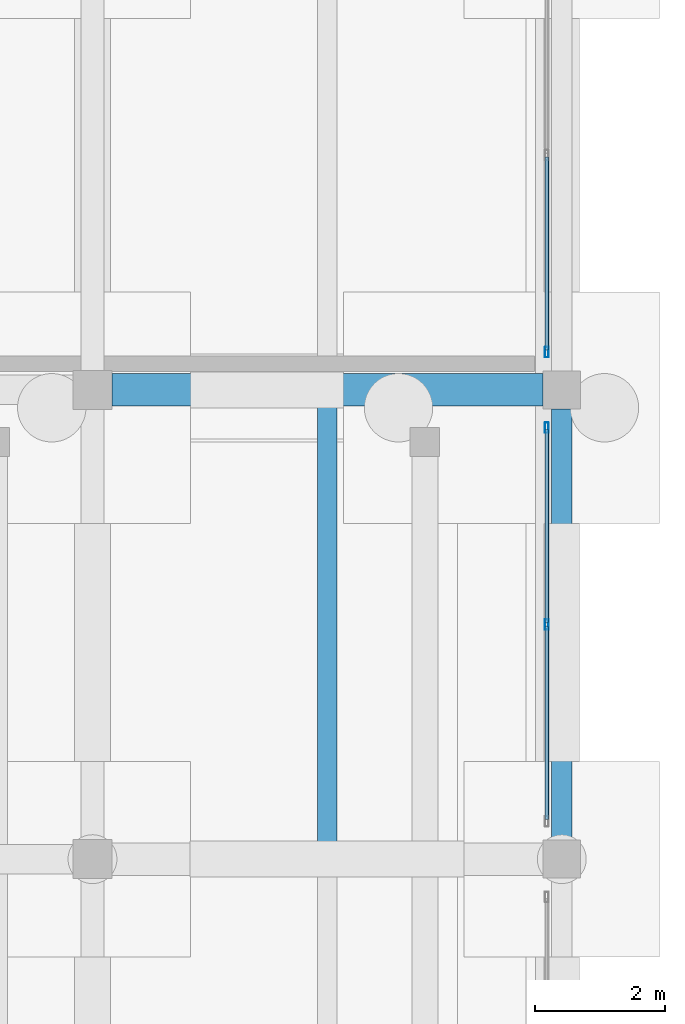
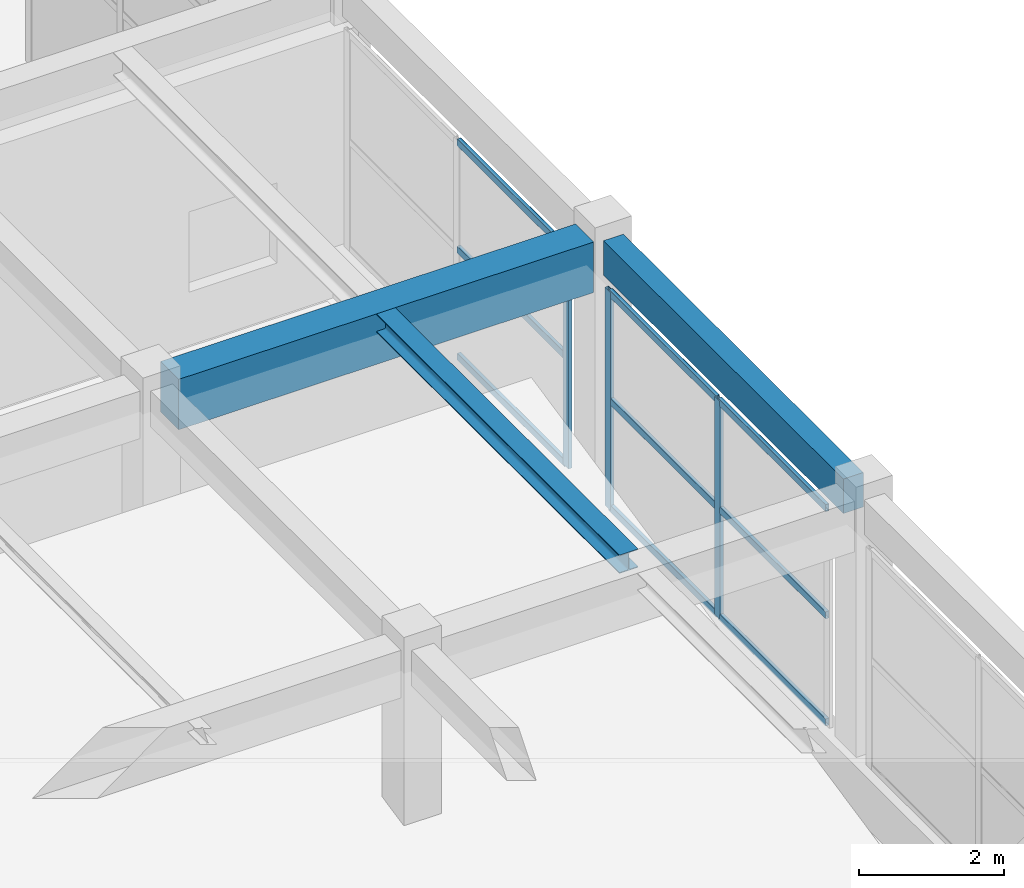
# One storey, part 20 of 91: 12 members, 3 beams, 2 elements without a shape of their own.
"""IFC4 building model written with IfcOpenShell, lengths in metres."""

from ifc_helpers import new_model, si_unit, direction, frame, origin, origin_2d, place, context, subcontext, project, spatial, rectangle, hollow_rectangle, i_section, extrude, material, material_profile, profile_set, type_object, element, aggregate, save


model = new_model("IFC4")

# Units and contexts
model_context = context("Model", 3, precision=1e-05, world=origin(), true_north=direction((0.0, 1.0)))
body_context = subcontext(model_context, "Body", "Model", "MODEL_VIEW")
ifc_project = project(units=[si_unit("LENGTHUNIT", "METRE"), si_unit("AREAUNIT", "SQUARE_METRE"), si_unit("VOLUMEUNIT", "CUBIC_METRE"), si_unit("PLANEANGLEUNIT", "RADIAN"), si_unit("MASSUNIT", "GRAM", prefix="KILO")], contexts=[model_context])

# Site, building, storey
site_placement = place(None, origin())
site = spatial("IfcSite", under=ifc_project, at=site_placement, CompositionType="ELEMENT")
building_placement = place(site_placement, origin())
building = spatial("IfcBuilding", under=site, at=building_placement, Name="Bramveld Media Centre", CompositionType="ELEMENT")
storey_placement = place(building_placement, origin())
storey = spatial("IfcBuildingStorey", under=building, at=storey_placement, Name="L00", CompositionType="ELEMENT", Elevation=0.0)

# Beam
ifc_material_1 = material(Name="Concrete C40/50", Category="concrete")
ifc_material_profile_1 = material_profile(ifc_material_1, rectangle(XDim=0.5, YDim=0.85009765625, at=origin_2d()), Name="RC 500x850")
ifc_profile_set_1 = profile_set([ifc_material_profile_1], Name="Concrete C40/50")
beam_type_1 = type_object("IfcBeamType", Name="BM-INT-RC-500x850", PredefinedType="BEAM", material=ifc_profile_set_1)
beam_1_placement = place(storey_placement, frame((29.10009765625, 60.800048828125, 4.715087890625), z_axis=(1.0, 0.0, 0.0), x_axis=(0.0, 1.0, 0.0)))
element("IfcBeam", 1, at=beam_1_placement, inside=storey, type_object=beam_type_1, Name="V3 L00 girder X-210", PredefinedType="BEAM", context=body_context, shape_type="SweptSolid", body=[
    extrude(rectangle(XDim=0.5, YDim=0.85009765625, at=origin_2d()), origin(), (0.0, 0.0, 1.0), 6.60986328125),
])

# Curtain wall, members
ifc_material_2 = material(Name="Thermally broken anodized bronze aluminium unitized curtain wall with solar-control triple glazing", Category="aluminium")
curtain_wall_type = type_object("IfcCurtainWallType", Name="CW-FACV3-6100x3670", PredefinedType="NOTDEFINED", material=ifc_material_2)
curtain_wall_1_placement = place(storey_placement, origin())
curtain_wall_1 = element("IfcCurtainWall", 2, at=curtain_wall_1_placement, inside=storey, type_object=curtain_wall_type, Name="V3 L00 E curtain wall bay 3", PredefinedType="NOTDEFINED")
ifc_material_3 = material(Name="Thermally broken anodized bronze aluminium EN AW-6063 T6 curtain-wall framing", Category="aluminium")
ifc_material_profile_2 = material_profile(ifc_material_3, hollow_rectangle(XDim=0.06005859375, YDim=0.159912109375, WallThickness=0.00390625, InnerFilletRadius=0.00390625, OuterFilletRadius=0.008056640625, at=origin_2d()), Name="AL-MULL 60x160")
ifc_profile_set_2 = profile_set([ifc_material_profile_2], Name="Thermally broken anodized bronze aluminium EN AW-6063 T6 curtain-wall framing")
member_type_1 = type_object("IfcMemberType", Name="CW-MULL-EXT", PredefinedType="MULLION", material=ifc_profile_set_2)
member_1_placement = place(storey_placement, frame((35.77001953125, 57.199951171875, 0.85009765625), z_axis=(0.0, 0.0, 1.0), x_axis=(-1.0, 0.0, 0.0)))
member_1 = element("IfcMember", 3, at=member_1_placement, type_object=member_type_1, Name="CW-FA-6136 mullion 2", PredefinedType="MULLION", context=body_context, shape_type="SweptSolid", body=[
    extrude(hollow_rectangle(XDim=0.06005859375, YDim=0.159912109375, WallThickness=0.00390625, InnerFilletRadius=0.00390625, OuterFilletRadius=0.008056640625, at=origin_2d()), origin(), (0.0, 0.0, 1.0), 3.669921875),
])
member_2_placement = place(storey_placement, frame((35.77001953125, 60.219970703125, 0.85009765625), z_axis=(0.0, 0.0, 1.0), x_axis=(-1.0, 0.0, 0.0)))
member_2 = element("IfcMember", 4, at=member_2_placement, type_object=member_type_1, Name="CW-FA-6136 mullion 3", PredefinedType="MULLION", context=body_context, shape_type="SweptSolid", body=[
    extrude(hollow_rectangle(XDim=0.06005859375, YDim=0.159912109375, WallThickness=0.00390625, InnerFilletRadius=0.00390625, OuterFilletRadius=0.008056640625, at=origin_2d()), origin(), (0.0, 0.0, 1.0), 3.669921875),
])

# Curtain wall, member
curtain_wall_2_placement = place(storey_placement, origin())
curtain_wall_2 = element("IfcCurtainWall", 5, at=curtain_wall_2_placement, inside=storey, type_object=curtain_wall_type, Name="V3 L00 E curtain wall bay 4", PredefinedType="NOTDEFINED")
member_3_placement = place(storey_placement, frame((35.77001953125, 61.3798828125, 0.85009765625), z_axis=(0.0, 0.0, 1.0), x_axis=(-1.0, 0.0, 0.0)))
member_3 = element("IfcMember", 6, at=member_3_placement, type_object=member_type_1, Name="CW-FA-6136 mullion 1", PredefinedType="MULLION", context=body_context, shape_type="SweptSolid", body=[
    extrude(hollow_rectangle(XDim=0.06005859375, YDim=0.159912109375, WallThickness=0.00390625, InnerFilletRadius=0.00390625, OuterFilletRadius=0.008056640625, at=origin_2d()), origin(), (0.0, 0.0, 1.0), 3.669921875),
])

# Member
ifc_material_4 = material(Name="Thermally broken anodized bronze aluminium EN AW-6063 T6 curtain-wall framing", Category="aluminium")
ifc_material_profile_3 = material_profile(ifc_material_4, hollow_rectangle(XDim=0.06005859375, YDim=0.1201171875, WallThickness=0.00341796875, InnerFilletRadius=0.00341796875, OuterFilletRadius=0.007080078125, at=origin_2d()), Name="AL-TRAN 60x120")
ifc_profile_set_3 = profile_set([ifc_material_profile_3], Name="Thermally broken anodized bronze aluminium EN AW-6063 T6 curtain-wall framing")
member_type_2 = type_object("IfcMemberType", Name="CW-TRAN-EXT", PredefinedType="USERDEFINED", material=ifc_profile_set_3)
member_4_placement = place(storey_placement, frame((35.77001953125, 54.2099609375, 0.8798828125), z_axis=(0.0, 1.0, 0.0), x_axis=(-1.0, 0.0, 0.0)))
member_4 = element("IfcMember", 7, at=member_4_placement, type_object=member_type_2, Name="CW-FA-6136 transom 1.1", ObjectType="TRANSOM", PredefinedType="USERDEFINED", context=body_context, shape_type="SweptSolid", body=[
    extrude(hollow_rectangle(XDim=0.06005859375, YDim=0.1201171875, WallThickness=0.00341796875, InnerFilletRadius=0.00341796875, OuterFilletRadius=0.007080078125, at=origin_2d()), origin(), (0.0, 0.0, 1.0), 2.9599609375),
])

member_5_placement = place(storey_placement, frame((35.77001953125, 54.2099609375, 2.68505859375), z_axis=(0.0, 1.0, 0.0), x_axis=(-1.0, 0.0, 0.0)))
member_5 = element("IfcMember", 8, at=member_5_placement, type_object=member_type_2, Name="CW-FA-6136 transom 1.2", ObjectType="TRANSOM", PredefinedType="USERDEFINED", context=body_context, shape_type="SweptSolid", body=[
    extrude(hollow_rectangle(XDim=0.06005859375, YDim=0.1201171875, WallThickness=0.00341796875, InnerFilletRadius=0.00341796875, OuterFilletRadius=0.007080078125, at=origin_2d()), origin(), (0.0, 0.0, 1.0), 2.9599609375),
])

member_6_placement = place(storey_placement, frame((35.77001953125, 54.2099609375, 4.489990234375), z_axis=(0.0, 1.0, 0.0), x_axis=(-1.0, 0.0, 0.0)))
member_6 = element("IfcMember", 9, at=member_6_placement, type_object=member_type_2, Name="CW-FA-6136 transom 1.3", ObjectType="TRANSOM", PredefinedType="USERDEFINED", context=body_context, shape_type="SweptSolid", body=[
    extrude(hollow_rectangle(XDim=0.06005859375, YDim=0.1201171875, WallThickness=0.00341796875, InnerFilletRadius=0.00341796875, OuterFilletRadius=0.007080078125, at=origin_2d()), origin(), (0.0, 0.0, 1.0), 2.9599609375),
])

member_7_placement = place(storey_placement, frame((35.77001953125, 57.22998046875, 0.8798828125), z_axis=(0.0, 1.0, 0.0), x_axis=(-1.0, 0.0, 0.0)))
member_7 = element("IfcMember", 10, at=member_7_placement, type_object=member_type_2, Name="CW-FA-6136 transom 2.1", ObjectType="TRANSOM", PredefinedType="USERDEFINED", context=body_context, shape_type="SweptSolid", body=[
    extrude(hollow_rectangle(XDim=0.06005859375, YDim=0.1201171875, WallThickness=0.00341796875, InnerFilletRadius=0.00341796875, OuterFilletRadius=0.007080078125, at=origin_2d()), origin(), (0.0, 0.0, 1.0), 2.9599609375),
])

member_8_placement = place(storey_placement, frame((35.77001953125, 57.22998046875, 2.68505859375), z_axis=(0.0, 1.0, 0.0), x_axis=(-1.0, 0.0, 0.0)))
member_8 = element("IfcMember", 11, at=member_8_placement, type_object=member_type_2, Name="CW-FA-6136 transom 2.2", ObjectType="TRANSOM", PredefinedType="USERDEFINED", context=body_context, shape_type="SweptSolid", body=[
    extrude(hollow_rectangle(XDim=0.06005859375, YDim=0.1201171875, WallThickness=0.00341796875, InnerFilletRadius=0.00341796875, OuterFilletRadius=0.007080078125, at=origin_2d()), origin(), (0.0, 0.0, 1.0), 2.9599609375),
])

member_9_placement = place(storey_placement, frame((35.77001953125, 57.22998046875, 4.489990234375), z_axis=(0.0, 1.0, 0.0), x_axis=(-1.0, 0.0, 0.0)))
member_9 = element("IfcMember", 12, at=member_9_placement, type_object=member_type_2, Name="CW-FA-6136 transom 2.3", ObjectType="TRANSOM", PredefinedType="USERDEFINED", context=body_context, shape_type="SweptSolid", body=[
    extrude(hollow_rectangle(XDim=0.06005859375, YDim=0.1201171875, WallThickness=0.00341796875, InnerFilletRadius=0.00341796875, OuterFilletRadius=0.007080078125, at=origin_2d()), origin(), (0.0, 0.0, 1.0), 2.9599609375),
])

aggregate(curtain_wall_1, [member_1, member_2, member_4, member_5, member_6, member_7, member_8, member_9])

member_10_placement = place(storey_placement, frame((35.77001953125, 61.409912109375, 0.8798828125), z_axis=(0.0, 1.0, 0.0), x_axis=(-1.0, 0.0, 0.0)))
member_10 = element("IfcMember", 13, at=member_10_placement, type_object=member_type_2, Name="CW-FA-6136 transom 1.1", ObjectType="TRANSOM", PredefinedType="USERDEFINED", context=body_context, shape_type="SweptSolid", body=[
    extrude(hollow_rectangle(XDim=0.06005859375, YDim=0.1201171875, WallThickness=0.00341796875, InnerFilletRadius=0.00341796875, OuterFilletRadius=0.007080078125, at=origin_2d()), origin(), (0.0, 0.0, 1.0), 2.960205078125),
])

member_11_placement = place(storey_placement, frame((35.77001953125, 61.409912109375, 2.68505859375), z_axis=(0.0, 1.0, 0.0), x_axis=(-1.0, 0.0, 0.0)))
member_11 = element("IfcMember", 14, at=member_11_placement, type_object=member_type_2, Name="CW-FA-6136 transom 1.2", ObjectType="TRANSOM", PredefinedType="USERDEFINED", context=body_context, shape_type="SweptSolid", body=[
    extrude(hollow_rectangle(XDim=0.06005859375, YDim=0.1201171875, WallThickness=0.00341796875, InnerFilletRadius=0.00341796875, OuterFilletRadius=0.007080078125, at=origin_2d()), origin(), (0.0, 0.0, 1.0), 2.960205078125),
])

member_12_placement = place(storey_placement, frame((35.77001953125, 61.409912109375, 4.489990234375), z_axis=(0.0, 1.0, 0.0), x_axis=(-1.0, 0.0, 0.0)))
member_12 = element("IfcMember", 15, at=member_12_placement, type_object=member_type_2, Name="CW-FA-6136 transom 1.3", ObjectType="TRANSOM", PredefinedType="USERDEFINED", context=body_context, shape_type="SweptSolid", body=[
    extrude(hollow_rectangle(XDim=0.06005859375, YDim=0.1201171875, WallThickness=0.00341796875, InnerFilletRadius=0.00341796875, OuterFilletRadius=0.007080078125, at=origin_2d()), origin(), (0.0, 0.0, 1.0), 2.960205078125),
])

aggregate(curtain_wall_2, [member_3, member_10, member_11, member_12])

# Beams
ifc_material_5 = material(Name="Steel S355J2", Category="steel")
ifc_material_profile_4 = material_profile(ifc_material_5, i_section(OverallWidth=0.300048828125, OverallDepth=0.31005859375, WebThickness=0.009033203125, FlangeThickness=0.015380859375, FilletRadius=0.027099609375, at=origin_2d()), Name="HEA 320")
ifc_profile_set_4 = profile_set([ifc_material_profile_4], Name="Steel S355J2")
beam_type_2 = type_object("IfcBeamType", Name="SBM-INT-HEA-320", PredefinedType="BEAM", material=ifc_profile_set_4)
beam_2_placement = place(storey_placement, frame((32.39990234375, 53.85009765625, 4.985107421875), z_axis=(0.0, 1.0, 0.0), x_axis=(-1.0, 0.0, 0.0)))
element("IfcBeam", 16, at=beam_2_placement, inside=storey, type_object=beam_type_2, Name="V3 L00 secondary floor joist 255", PredefinedType="BEAM", context=body_context, shape_type="SweptSolid", body=[
    extrude(i_section(OverallWidth=0.300048828125, OverallDepth=0.31005859375, WebThickness=0.009033203125, FlangeThickness=0.015380859375, FilletRadius=0.027099609375, at=origin_2d()), origin(), (0.0, 0.0, 1.0), 6.699951171875),
])
ifc_material_6 = material(Name="Concrete C40/50", Category="concrete")
ifc_material_profile_5 = material_profile(ifc_material_6, rectangle(XDim=0.320068359375, YDim=0.580078125, at=origin_2d()), Name="RC 320x580")
ifc_profile_set_5 = profile_set([ifc_material_profile_5], Name="Concrete C40/50")
beam_type_3 = type_object("IfcBeamType", Name="SPANDREL-EXT-RC-320x580", PredefinedType="SPANDREL", material=ifc_profile_set_5)
beam_3_placement = place(storey_placement, frame((36.0, 53.889892578125, 4.85009765625), z_axis=(0.0, 1.0, 0.0), x_axis=(-1.0, 0.0, 0.0)))
element("IfcBeam", 17, at=beam_3_placement, inside=storey, type_object=beam_type_3, Name="V3 L00 girder Y-237", PredefinedType="SPANDREL", context=body_context, shape_type="SweptSolid", body=[
    extrude(rectangle(XDim=0.320068359375, YDim=0.580078125, at=origin_2d()), origin(), (0.0, 0.0, 1.0), 6.6201171875),
])

save(model, "model.ifc")
